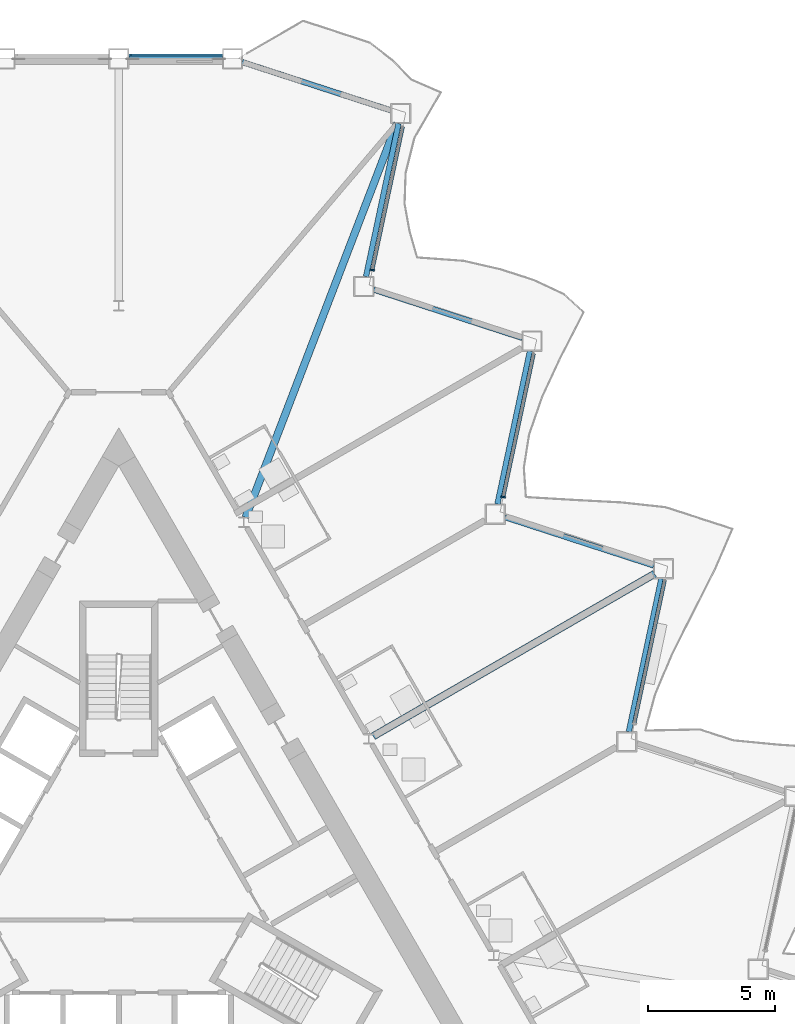
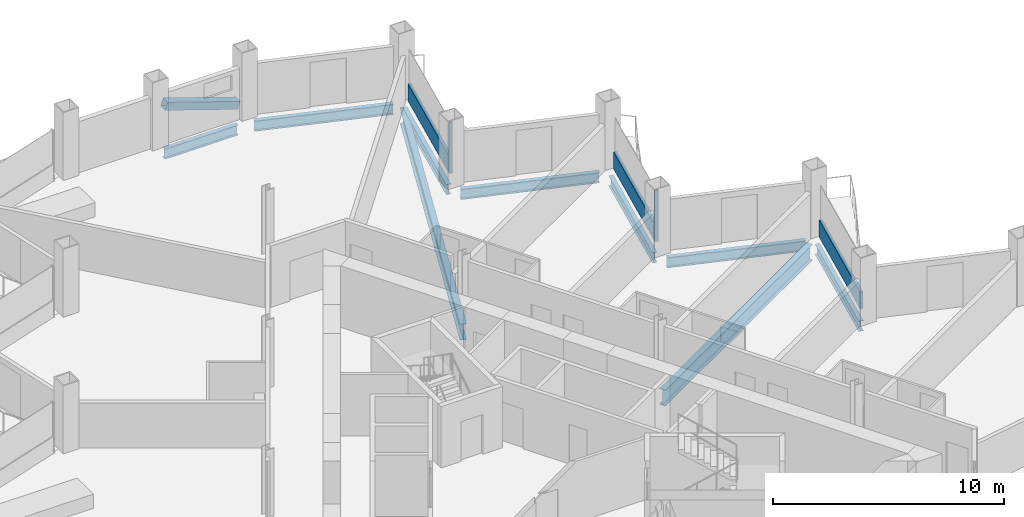
# One storey, part 9 of 24: 9 beams, 6 members, 3 elements without a shape of their own.
"""IFC4 building model written with IfcOpenShell, lengths in metres."""

from ifc_helpers import new_model, si_unit, direction, frame, origin, origin_2d, place, context, subcontext, project, spatial, rectangle, hollow_rectangle, i_section, extrude, material, layer, layer_set, material_profile, profile_set, type_object, element, aggregate, save


model = new_model("IFC4")

# Units and contexts
model_context = context("Model", 3, precision=1e-05, world=origin(), true_north=direction((0.0, 1.0)))
body_context = subcontext(model_context, "Body", "Model", "MODEL_VIEW")
ifc_project = project(units=[si_unit("LENGTHUNIT", "METRE"), si_unit("AREAUNIT", "SQUARE_METRE"), si_unit("VOLUMEUNIT", "CUBIC_METRE"), si_unit("PLANEANGLEUNIT", "RADIAN"), si_unit("MASSUNIT", "GRAM", prefix="KILO")], contexts=[model_context])

# Site, building, storey
site_placement = place(None, origin())
site = spatial("IfcSite", under=ifc_project, at=site_placement, CompositionType="ELEMENT")
building_placement = place(site_placement, origin())
building = spatial("IfcBuilding", under=site, at=building_placement, Name="Cormorant Prow Tower", CompositionType="ELEMENT")
storey_placement = place(building_placement, frame((0.0, 0.0, 205.199951171875)))
storey = spatial("IfcBuildingStorey", under=building, at=storey_placement, Name="L45", CompositionType="ELEMENT", Elevation=205.199951171875)

# Member
ifc_material_1 = material(Name="Structural steel ASTM A500 Gr C", Category="steel")
ifc_material_profile_1 = material_profile(ifc_material_1, hollow_rectangle(XDim=0.406494140625, YDim=0.406494140625, WallThickness=0.01171875, at=origin_2d()), Name="HSS16x16x1/2")
ifc_profile_set_1 = profile_set([ifc_material_profile_1], Name="Structural steel ASTM A500 Gr C")
member_type_1 = type_object("IfcMemberType", Name="Chamfer brace HSS16x16x1/2", PredefinedType="BRACE", material=ifc_profile_set_1)
member_1_placement = place(storey_placement, frame((4.05322265625, 32.3994140625, 0.739990234375), z_axis=(-0.947980792039, 0.0, 0.318327532464), x_axis=(0.0, -1.0, 0.0)))
element("IfcMember", 1, at=member_1_placement, inside=storey, type_object=member_type_1, Name="Chamfer brace BR2 at N00 L45", PredefinedType="BRACE", context=body_context, shape_type="SweptSolid", body=[
    extrude(hollow_rectangle(XDim=0.406494140625, YDim=0.406494140625, WallThickness=0.01171875, at=origin_2d()), origin(), (0.0, 0.0, 1.0), 3.83544921875),
])

# Curtain wall, member
ifc_material_2 = material(Name="Aluminium 6063-T6", Category="aluminium")
ifc_layer = layer(ifc_material_2, 0.179931640625)
ifc_layer_set = layer_set([ifc_layer], Name="Aluminium 6063-T6")
curtain_wall_type = type_object("IfcCurtainWallType", Name="Hotel unitised curtain wall 180", PredefinedType="NOTDEFINED", material=ifc_layer_set)
curtain_wall_1_placement = place(storey_placement, origin())
curtain_wall_1 = element("IfcCurtainWall", 2, at=curtain_wall_1_placement, inside=storey, type_object=curtain_wall_type, Name="Hotel curtain wall ENE06", PredefinedType="NOTDEFINED")
ifc_material_3 = material(Name="Aluminium 6063-T6", Category="aluminium")
ifc_material_profile_2 = material_profile(ifc_material_3, rectangle(XDim=0.179931640625, YDim=0.06005859375, at=origin_2d()), Name="Hotel mullion 60x180")
ifc_profile_set_2 = profile_set([ifc_material_profile_2], Name="Aluminium 6063-T6")
member_type_2 = type_object("IfcMemberType", Name="Hotel mullion 60x180", PredefinedType="MULLION", material=ifc_profile_set_2)
member_2_placement = place(storey_placement, frame((15.11328125, 15.183349609375, 0.0), z_axis=(0.0, 0.0, 1.0), x_axis=(-0.978147605448, 0.207911668641, 0.0)))
member_2 = element("IfcMember", 3, at=member_2_placement, type_object=member_type_2, Name="Hotel mullion ENE06", PredefinedType="MULLION", context=body_context, shape_type="SweptSolid", body=[
    extrude(rectangle(XDim=0.179931640625, YDim=0.06005859375, at=origin_2d()), origin(), (0.0, 0.0, 1.0), 2.700927734375),
])

curtain_wall_2_placement = place(storey_placement, origin())
curtain_wall_2 = element("IfcCurtainWall", 4, at=curtain_wall_2_placement, inside=storey, type_object=curtain_wall_type, Name="Hotel curtain wall ENE08", PredefinedType="NOTDEFINED")
member_3_placement = place(storey_placement, frame((9.96533203125, 24.099853515625, 0.0), z_axis=(0.0, 0.0, 1.0), x_axis=(-0.978147605448, 0.207911668641, 0.0)))
member_3 = element("IfcMember", 5, at=member_3_placement, type_object=member_type_2, Name="Hotel mullion ENE08", PredefinedType="MULLION", context=body_context, shape_type="SweptSolid", body=[
    extrude(rectangle(XDim=0.179931640625, YDim=0.06005859375, at=origin_2d()), origin(), (0.0, 0.0, 1.0), 2.700927734375),
])

curtain_wall_3_placement = place(storey_placement, origin())
curtain_wall_3 = element("IfcCurtainWall", 6, at=curtain_wall_3_placement, inside=storey, type_object=curtain_wall_type, Name="Hotel curtain wall ENE04", PredefinedType="NOTDEFINED")
ifc_material_4 = material(Name="Terracotta", Category="masonry")
ifc_material_profile_3 = material_profile(ifc_material_4, rectangle(XDim=0.139892578125, YDim=0.89990234375, at=origin_2d()), Name="Hotel terracotta spandrel rail 140x900")
ifc_profile_set_3 = profile_set([ifc_material_profile_3], Name="Terracotta")
member_type_3 = type_object("IfcMemberType", Name="Hotel terracotta spandrel rail 140x900", PredefinedType="USERDEFINED", material=ifc_profile_set_3)
member_4_placement = place(storey_placement, frame((20.267578125, 6.2958984375, 0.449951171875), z_axis=(0.207914285886, 0.978147049131, 0.0), x_axis=(-0.978147049131, 0.207914285886, 0.0)))
member_4 = element("IfcMember", 7, at=member_4_placement, type_object=member_type_3, Name="Hotel spandrel rail ENE04", ObjectType="TRANSOM", PredefinedType="USERDEFINED", context=body_context, shape_type="SweptSolid", body=[
    extrude(rectangle(XDim=0.139892578125, YDim=0.89990234375, at=origin_2d()), origin(), (0.0, 0.0, 1.0), 5.7314453125),
])
aggregate(curtain_wall_3, [member_4])

# Member
member_5_placement = place(storey_placement, frame((15.11962890625, 15.212646484375, 0.449951171875), z_axis=(0.207914285886, 0.978147049131, 0.0), x_axis=(-0.978147049131, 0.207914285886, 0.0)))
member_5 = element("IfcMember", 8, at=member_5_placement, type_object=member_type_3, Name="Hotel spandrel rail ENE06", ObjectType="TRANSOM", PredefinedType="USERDEFINED", context=body_context, shape_type="SweptSolid", body=[
    extrude(rectangle(XDim=0.139892578125, YDim=0.89990234375, at=origin_2d()), origin(), (0.0, 0.0, 1.0), 5.7314453125),
])

aggregate(curtain_wall_1, [member_2, member_5])

member_6_placement = place(storey_placement, frame((9.971435546875, 24.129150390625, 0.449951171875), z_axis=(0.207914285886, 0.978147049131, 0.0), x_axis=(-0.978147049131, 0.207914285886, 0.0)))
member_6 = element("IfcMember", 9, at=member_6_placement, type_object=member_type_3, Name="Hotel spandrel rail ENE08", ObjectType="TRANSOM", PredefinedType="USERDEFINED", context=body_context, shape_type="SweptSolid", body=[
    extrude(rectangle(XDim=0.139892578125, YDim=0.89990234375, at=origin_2d()), origin(), (0.0, 0.0, 1.0), 5.7314453125),
])

aggregate(curtain_wall_2, [member_3, member_6])

# Beams
ifc_material_5 = material(Name="Structural steel ASTM A992 Gr 50", Category="steel")
ifc_material_profile_4 = material_profile(ifc_material_5, i_section(OverallWidth=0.29296875, OverallDepth=0.845703125, WebThickness=0.015380859375, FlangeThickness=0.0244140625, at=origin_2d()), Name="W33x141")
ifc_profile_set_4 = profile_set([ifc_material_profile_4], Name="Structural steel ASTM A992 Gr 50")
beam_type_1 = type_object("IfcBeamType", Name="Radial floor beam W33x141", PredefinedType="BEAM", material=ifc_profile_set_4)
beam_1_placement = place(storey_placement, frame((10.0048828125, 5.7763671875, -0.77294921875), z_axis=(0.866026069776, 0.499998846467, 0.0), x_axis=(-0.499998846467, 0.866026069776, 0.0)))
element("IfcBeam", 10, at=beam_1_placement, inside=storey, type_object=beam_type_1, Name="Radial floor beam FB2 11 L45", PredefinedType="BEAM", context=body_context, shape_type="SweptSolid", body=[
    extrude(i_section(OverallWidth=0.29296875, OverallDepth=0.845703125, WebThickness=0.015380859375, FlangeThickness=0.0244140625, at=origin_2d()), origin(), (0.0, 0.0, 1.0), 12.76904296875),
])
beam_2_placement = place(storey_placement, frame((4.9873046875, 14.376220703125, -0.77294921875), z_axis=(0.358301123829, 0.933606075742, 0.0), x_axis=(-0.933606075742, 0.358301123829, 0.0)))
element("IfcBeam", 11, at=beam_2_placement, inside=storey, type_object=beam_type_1, Name="Radial floor beam FB2 12 L45", PredefinedType="BEAM", context=body_context, shape_type="SweptSolid", body=[
    extrude(i_section(OverallWidth=0.29296875, OverallDepth=0.845703125, WebThickness=0.015380859375, FlangeThickness=0.0244140625, at=origin_2d()), origin(), (0.0, 0.0, 1.0), 16.604736328125),
])
ifc_material_6 = material(Name="Structural steel ASTM A992 Gr 50", Category="steel")
ifc_material_profile_5 = material_profile(ifc_material_6, i_section(OverallWidth=0.2138671875, OverallDepth=0.549072265625, WebThickness=0.0146484375, FlangeThickness=0.023681640625, at=origin_2d()), Name="W21x93")
ifc_profile_set_5 = profile_set([ifc_material_profile_5], Name="Structural steel ASTM A992 Gr 50")
beam_type_2 = type_object("IfcBeamType", Name="Spandrel beam W21x93", PredefinedType="SPANDREL", material=ifc_profile_set_5)
beam_3_placement = place(storey_placement, frame((20.0478515625, 5.9541015625, -0.62451171875), z_axis=(0.207904811195, 0.978149063018, 0.0), x_axis=(-0.978149063018, 0.207904811195, 0.0)))
element("IfcBeam", 12, at=beam_3_placement, inside=storey, type_object=beam_type_2, Name="Spandrel beam SB2 ENE04-ENE05 L45", PredefinedType="SPANDREL", context=body_context, shape_type="SweptSolid", body=[
    extrude(i_section(OverallWidth=0.2138671875, OverallDepth=0.549072265625, WebThickness=0.0146484375, FlangeThickness=0.023681640625, at=origin_2d()), origin(), (0.0, 0.0, 1.0), 6.149658203125),
])
beam_4_placement = place(storey_placement, frame((21.029052734375, 12.484375, -0.62451171875), z_axis=(-0.951057696564, 0.309013361859, 0.0), x_axis=(-0.309013361859, -0.951057696564, 0.0)))
element("IfcBeam", 13, at=beam_4_placement, inside=storey, type_object=beam_type_2, Name="Spandrel beam SB2 ENE05-ENE06 L45", PredefinedType="SPANDREL", context=body_context, shape_type="SweptSolid", body=[
    extrude(i_section(OverallWidth=0.2138671875, OverallDepth=0.549072265625, WebThickness=0.0146484375, FlangeThickness=0.023681640625, at=origin_2d()), origin(), (0.0, 0.0, 1.0), 6.14990234375),
])
beam_5_placement = place(storey_placement, frame((14.883056640625, 14.899658203125, -0.62451171875), z_axis=(0.207904811195, 0.978149063018, 0.0), x_axis=(-0.978149063018, 0.207904811195, 0.0)))
element("IfcBeam", 14, at=beam_5_placement, inside=storey, type_object=beam_type_2, Name="Spandrel beam SB2 ENE06-ENE07 L45", PredefinedType="SPANDREL", context=body_context, shape_type="SweptSolid", body=[
    extrude(i_section(OverallWidth=0.2138671875, OverallDepth=0.549072265625, WebThickness=0.0146484375, FlangeThickness=0.023681640625, at=origin_2d()), origin(), (0.0, 0.0, 1.0), 6.149658203125),
])
beam_6_placement = place(storey_placement, frame((15.864501953125, 21.429931640625, -0.62451171875), z_axis=(-0.951057696564, 0.309013361859, 0.0), x_axis=(-0.309013361859, -0.951057696564, 0.0)))
element("IfcBeam", 15, at=beam_6_placement, inside=storey, type_object=beam_type_2, Name="Spandrel beam SB2 ENE07-ENE08 L45", PredefinedType="SPANDREL", context=body_context, shape_type="SweptSolid", body=[
    extrude(i_section(OverallWidth=0.2138671875, OverallDepth=0.549072265625, WebThickness=0.0146484375, FlangeThickness=0.023681640625, at=origin_2d()), origin(), (0.0, 0.0, 1.0), 6.14990234375),
])
beam_7_placement = place(storey_placement, frame((9.71826171875, 23.84521484375, -0.62451171875), z_axis=(0.207904811195, 0.978149063018, 0.0), x_axis=(-0.978149063018, 0.207904811195, 0.0)))
element("IfcBeam", 16, at=beam_7_placement, inside=storey, type_object=beam_type_2, Name="Spandrel beam SB2 ENE08-ENE09 L45", PredefinedType="SPANDREL", context=body_context, shape_type="SweptSolid", body=[
    extrude(i_section(OverallWidth=0.2138671875, OverallDepth=0.549072265625, WebThickness=0.0146484375, FlangeThickness=0.023681640625, at=origin_2d()), origin(), (0.0, 0.0, 1.0), 6.149658203125),
])
beam_8_placement = place(storey_placement, frame((10.69970703125, 30.37548828125, -0.62451171875), z_axis=(-0.951057696564, 0.309013361859, 0.0), x_axis=(-0.309013361859, -0.951057696564, 0.0)))
element("IfcBeam", 17, at=beam_8_placement, inside=storey, type_object=beam_type_2, Name="Spandrel beam SB2 ENE09-N00 L45", PredefinedType="SPANDREL", context=body_context, shape_type="SweptSolid", body=[
    extrude(i_section(OverallWidth=0.2138671875, OverallDepth=0.549072265625, WebThickness=0.0146484375, FlangeThickness=0.023681640625, at=origin_2d()), origin(), (0.0, 0.0, 1.0), 6.14990234375),
])
beam_9_placement = place(storey_placement, frame((4.0703125, 32.3994140625, -0.62451171875), z_axis=(-1.0, 0.0, 0.0), x_axis=(0.0, -1.0, 0.0)))
element("IfcBeam", 18, at=beam_9_placement, inside=storey, type_object=beam_type_2, Name="Spandrel beam SB2 N00-N01 L45", PredefinedType="SPANDREL", context=body_context, shape_type="SweptSolid", body=[
    extrude(i_section(OverallWidth=0.2138671875, OverallDepth=0.549072265625, WebThickness=0.0146484375, FlangeThickness=0.023681640625, at=origin_2d()), origin(), (0.0, 0.0, 1.0), 3.67041015625),
])

save(model, "model.ifc")
